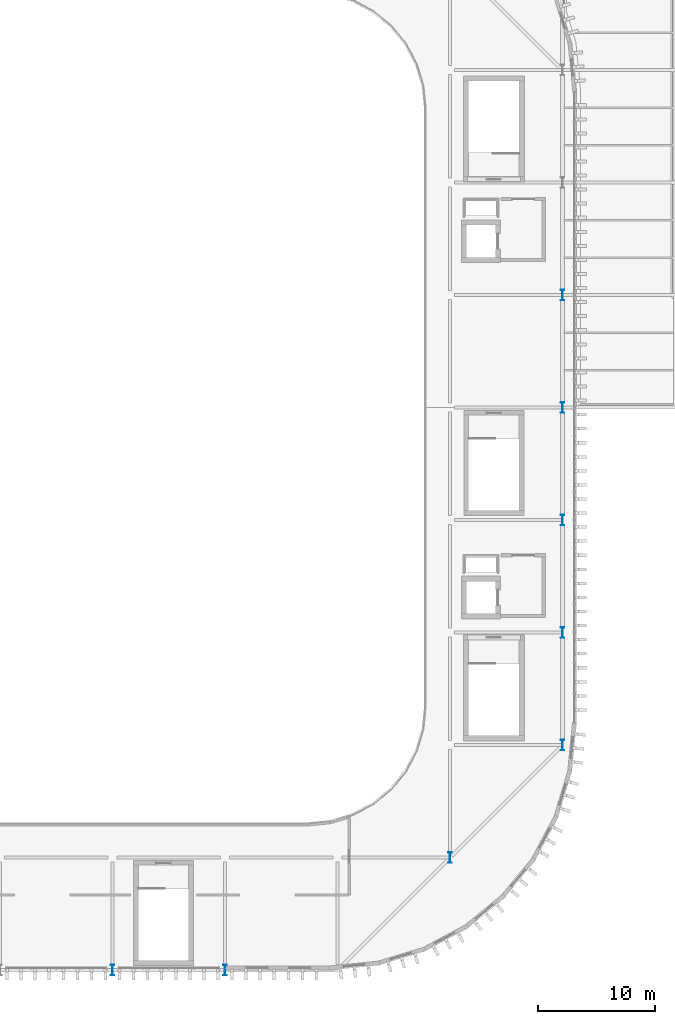
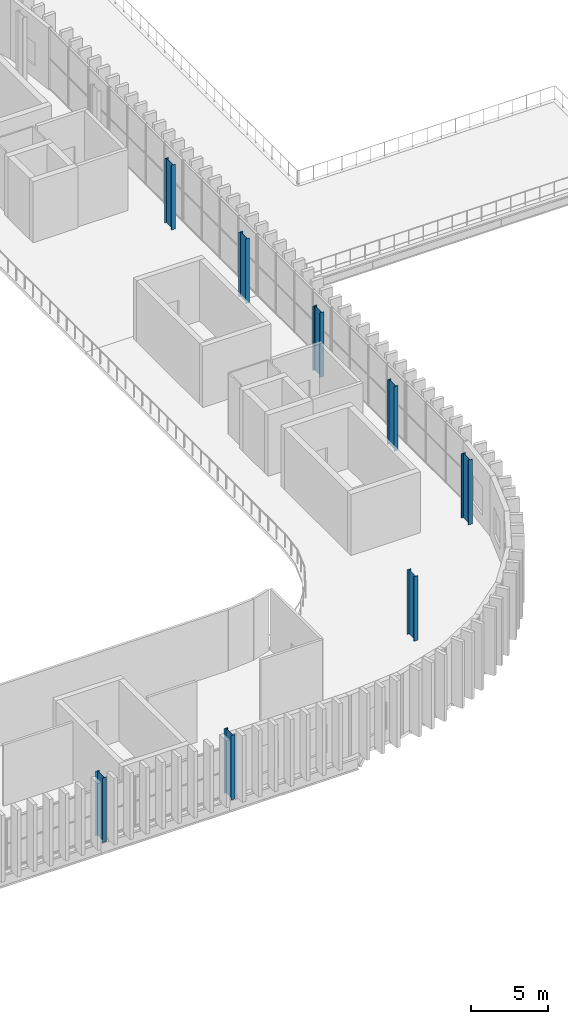
# One storey, part 2 of 45: 8 columns.
"""IFC4 building model written with IfcOpenShell, lengths in metres."""

from ifc_helpers import new_model, si_unit, direction, frame, origin, origin_2d, place, context, subcontext, project, spatial, i_section, extrude, material, material_profile, profile_set, type_object, element, save


model = new_model("IFC4")

# Units and contexts
model_context = context("Model", 3, precision=1e-05, world=origin(), true_north=direction((0.0, 1.0)))
body_context = subcontext(model_context, "Body", "Model", "MODEL_VIEW")
ifc_project = project(units=[si_unit("LENGTHUNIT", "METRE"), si_unit("AREAUNIT", "SQUARE_METRE"), si_unit("VOLUMEUNIT", "CUBIC_METRE"), si_unit("PLANEANGLEUNIT", "RADIAN"), si_unit("MASSUNIT", "GRAM", prefix="KILO")], contexts=[model_context])

# Site, building, storey
site_placement = place(None, origin())
site = spatial("IfcSite", under=ifc_project, at=site_placement, CompositionType="ELEMENT")
building_placement = place(site_placement, origin())
building = spatial("IfcBuilding", under=site, at=building_placement, Name="Caelomonte Colonnade Arena", CompositionType="ELEMENT")
storey_placement = place(building_placement, frame((0.0, 0.0, 23.10009765625)))
storey = spatial("IfcBuildingStorey", under=building, at=storey_placement, Name="L05", CompositionType="ELEMENT", Elevation=23.10009765625)

# Columns
ifc_material = material(Name="Wide-flange steel ASTM A992 Grade 50", Category="steel")
ifc_material_profile = material_profile(ifc_material, i_section(OverallWidth=0.3046875, OverallDepth=0.914306640625, WebThickness=0.0166015625, FlangeThickness=0.02587890625, FilletRadius=0.020263671875, at=origin_2d()), Name="W36X160")
ifc_profile_set = profile_set([ifc_material_profile], Name="Wide-flange steel ASTM A992 Grade 50")
column_type = type_object("IfcColumnType", Name="STR-COL-W36C", PredefinedType="COLUMN", material=ifc_profile_set)
for number, where, z_axis, x_axis, name in (
    (1, (124.800048828125, 19.199951171875, 0.0), (0.0, 0.0, 1.0), (1.0, 0.0, 0.0), "L05 column (124.8, 19.2)"),
    (2, (134.39990234375, 19.199951171875, 0.0), (0.0, 0.0, 1.0), (1.0, 0.0, 0.0), "L05 column (134.4, 19.2)"),
    (3, (153.60009765625, 28.800048828125, 0.0), (0.0, 0.0, 1.0), (1.0, 0.0, 0.0), "L05 column (153.6, 28.8)"),
    (4, (163.199951171875, 38.39990234375, 0.0), (0.0, 0.0, 1.0), (1.0, 0.0, 0.0), "L05 column (163.2, 38.4)"),
    (5, (163.199951171875, 48.0, 0.0), (0.0, 0.0, 1.0), (1.0, 0.0, 0.0), "L05 column (163.2, 48.0)"),
    (6, (163.199951171875, 57.60009765625, 0.0), (0.0, 0.0, 1.0), (1.0, 0.0, 0.0), "L05 column (163.2, 57.6)"),
    (7, (163.199951171875, 67.199951171875, 0.0), (0.0, 0.0, 1.0), (1.0, 0.0, 0.0), "L05 column (163.2, 67.2)"),
    (8, (163.199951171875, 76.800048828125, 0.0), (0.0, 0.0, 1.0), (1.0, 0.0, 0.0), "L05 column (163.2, 76.8)"),
):
    element("IfcColumn", number, at=place(storey_placement, frame(where, z_axis=z_axis, x_axis=x_axis)), inside=storey, type_object=column_type, Name=name, PredefinedType="COLUMN", context=body_context, shape_type="SweptSolid", body=[
        extrude(i_section(OverallWidth=0.3046875, OverallDepth=0.914306640625, WebThickness=0.0166015625, FlangeThickness=0.02587890625, FilletRadius=0.020263671875, at=origin_2d()), origin(), (0.0, 0.0, 1.0), 5.099853515625),
    ])

save(model, "model.ifc")
